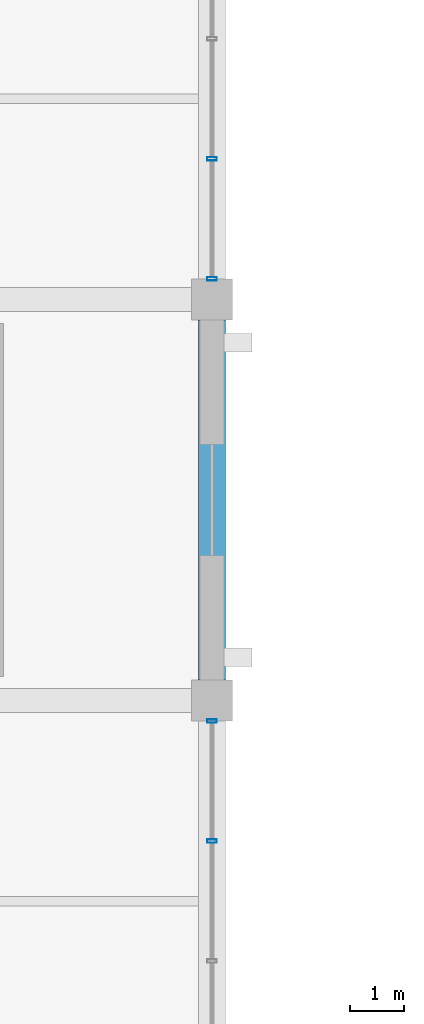
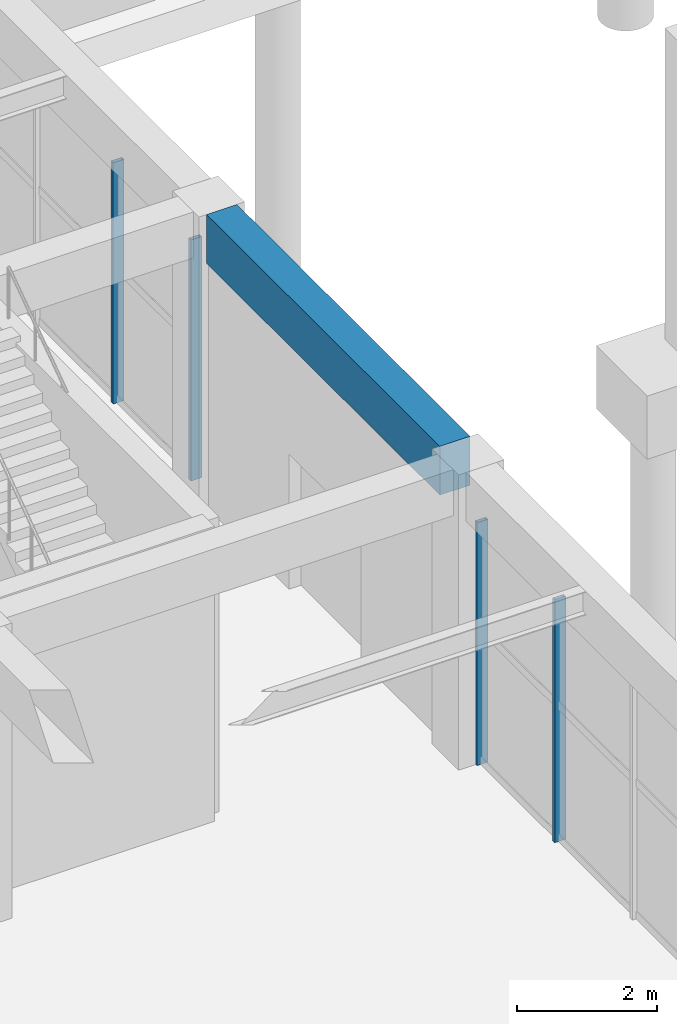
# One storey, part 26 of 140: 4 members, 1 beam, 2 elements without a shape of their own.
"""IFC4 building model written with IfcOpenShell, lengths in metres."""

from ifc_helpers import new_model, si_unit, direction, frame, origin, origin_2d, place, context, subcontext, project, spatial, rectangle, hollow_rectangle, extrude, material, material_profile, profile_set, type_object, element, aggregate, save


model = new_model("IFC4")

# Units and contexts
model_context = context("Model", 3, precision=1e-05, world=origin(), true_north=direction((0.0, 1.0)))
body_context = subcontext(model_context, "Body", "Model", "MODEL_VIEW")
ifc_project = project(units=[si_unit("LENGTHUNIT", "METRE"), si_unit("AREAUNIT", "SQUARE_METRE"), si_unit("VOLUMEUNIT", "CUBIC_METRE"), si_unit("PLANEANGLEUNIT", "RADIAN"), si_unit("MASSUNIT", "GRAM", prefix="KILO")], contexts=[model_context])

# Site, building, storey
site_placement = place(None, origin())
site = spatial("IfcSite", under=ifc_project, at=site_placement, CompositionType="ELEMENT")
building_placement = place(site_placement, origin())
building = spatial("IfcBuilding", under=site, at=building_placement, Name="Cimatlan Art Gallery", CompositionType="ELEMENT")
storey_placement = place(building_placement, origin())
storey = spatial("IfcBuildingStorey", under=building, at=storey_placement, Name="L00", CompositionType="ELEMENT", Elevation=0.0)

# Beam
ifc_material_1 = material(Name="Concrete C40/50", Category="concrete")
ifc_material_profile_1 = material_profile(ifc_material_1, rectangle(XDim=0.5, YDim=0.85009765625, at=origin_2d()), Name="RC500X850")
ifc_profile_set_1 = profile_set([ifc_material_profile_1], Name="Concrete C40/50")
beam_type = type_object("IfcBeamType", Name="BM-RC-500X850", PredefinedType="BEAM", material=ifc_profile_set_1)
beam_placement = place(storey_placement, frame((50.60009765625, 53.875, 4.7099609375), z_axis=(0.0, 1.0, 0.0), x_axis=(-1.0, 0.0, 0.0)))
element("IfcBeam", 1, at=beam_placement, inside=storey, type_object=beam_type, Name="BM-Y-L00-06-07", PredefinedType="BEAM", context=body_context, shape_type="SweptSolid", body=[
    extrude(rectangle(XDim=0.5, YDim=0.85009765625, at=origin_2d()), origin(), (0.0, 0.0, 1.0), 6.64990234375),
])

# Curtain wall, members
ifc_material_2 = material(Name="Anodised bronze unitised curtain wall")
curtain_wall_type_1 = type_object("IfcCurtainWallType", Name="CW-V-06642X04225-B3", PredefinedType="NOTDEFINED", material=ifc_material_2)
curtain_wall_1_placement = place(storey_placement, origin())
curtain_wall_1 = element("IfcCurtainWall", 2, at=curtain_wall_1_placement, inside=storey, type_object=curtain_wall_type_1, Name="CW-L00-05-06-E", PredefinedType="NOTDEFINED")
ifc_material_3 = material(Name="Anodised bronze aluminium 6063-T6", Category="aluminium")
ifc_material_profile_2 = material_profile(ifc_material_3, hollow_rectangle(XDim=0.06494140625, YDim=0.179931640625, WallThickness=0.00390625, at=origin_2d()), Name="ALU65X180X4")
ifc_profile_set_2 = profile_set([ifc_material_profile_2], Name="Anodised bronze aluminium 6063-T6")
member_type = type_object("IfcMemberType", Name="CW-MUL-180", PredefinedType="MULLION", material=ifc_profile_set_2)
member_1_placement = place(storey_placement, frame((50.60009765625, 53.12109375, 0.0), z_axis=(0.0, 0.0, 1.0), x_axis=(0.0, 1.0, 0.0)))
member_1 = element("IfcMember", 3, at=member_1_placement, type_object=member_type, Name="CW-L00-05-06-E-M1", PredefinedType="MULLION", context=body_context, shape_type="SweptSolid", body=[
    extrude(hollow_rectangle(XDim=0.06494140625, YDim=0.179931640625, WallThickness=0.00390625, at=origin_2d()), origin(), (0.0, 0.0, 1.0), 4.22509765625),
])
member_2_placement = place(storey_placement, frame((50.60009765625, 50.906982421875, 0.0), z_axis=(0.0, 0.0, 1.0), x_axis=(0.0, 1.0, 0.0)))
member_2 = element("IfcMember", 4, at=member_2_placement, type_object=member_type, Name="CW-L00-05-06-E-M2", PredefinedType="MULLION", context=body_context, shape_type="SweptSolid", body=[
    extrude(hollow_rectangle(XDim=0.06494140625, YDim=0.179931640625, WallThickness=0.00390625, at=origin_2d()), origin(), (0.0, 0.0, 1.0), 4.22509765625),
])
aggregate(curtain_wall_1, [member_1, member_2])

curtain_wall_type_2 = type_object("IfcCurtainWallType", Name="CW-V-06642X04195-B3", PredefinedType="NOTDEFINED", material=ifc_material_2)
curtain_wall_2_placement = place(storey_placement, origin())
curtain_wall_2 = element("IfcCurtainWall", 5, at=curtain_wall_2_placement, inside=storey, type_object=curtain_wall_type_2, Name="CW-L00-05-08-E", PredefinedType="NOTDEFINED")
member_3_placement = place(storey_placement, frame((50.60009765625, 63.492919921875, 0.0), z_axis=(0.0, 0.0, 1.0), x_axis=(0.0, 1.0, 0.0)))
member_3 = element("IfcMember", 6, at=member_3_placement, type_object=member_type, Name="CW-L00-05-08-E-M3", PredefinedType="MULLION", context=body_context, shape_type="SweptSolid", body=[
    extrude(hollow_rectangle(XDim=0.06494140625, YDim=0.179931640625, WallThickness=0.00390625, at=origin_2d()), origin(), (0.0, 0.0, 1.0), 4.195068359375),
])
member_4_placement = place(storey_placement, frame((50.60009765625, 61.279052734375, 0.0), z_axis=(0.0, 0.0, 1.0), x_axis=(0.0, 1.0, 0.0)))
member_4 = element("IfcMember", 7, at=member_4_placement, type_object=member_type, Name="CW-L00-05-08-E-M4", PredefinedType="MULLION", context=body_context, shape_type="SweptSolid", body=[
    extrude(hollow_rectangle(XDim=0.06494140625, YDim=0.179931640625, WallThickness=0.00390625, at=origin_2d()), origin(), (0.0, 0.0, 1.0), 4.195068359375),
])
aggregate(curtain_wall_2, [member_3, member_4])

save(model, "model.ifc")
